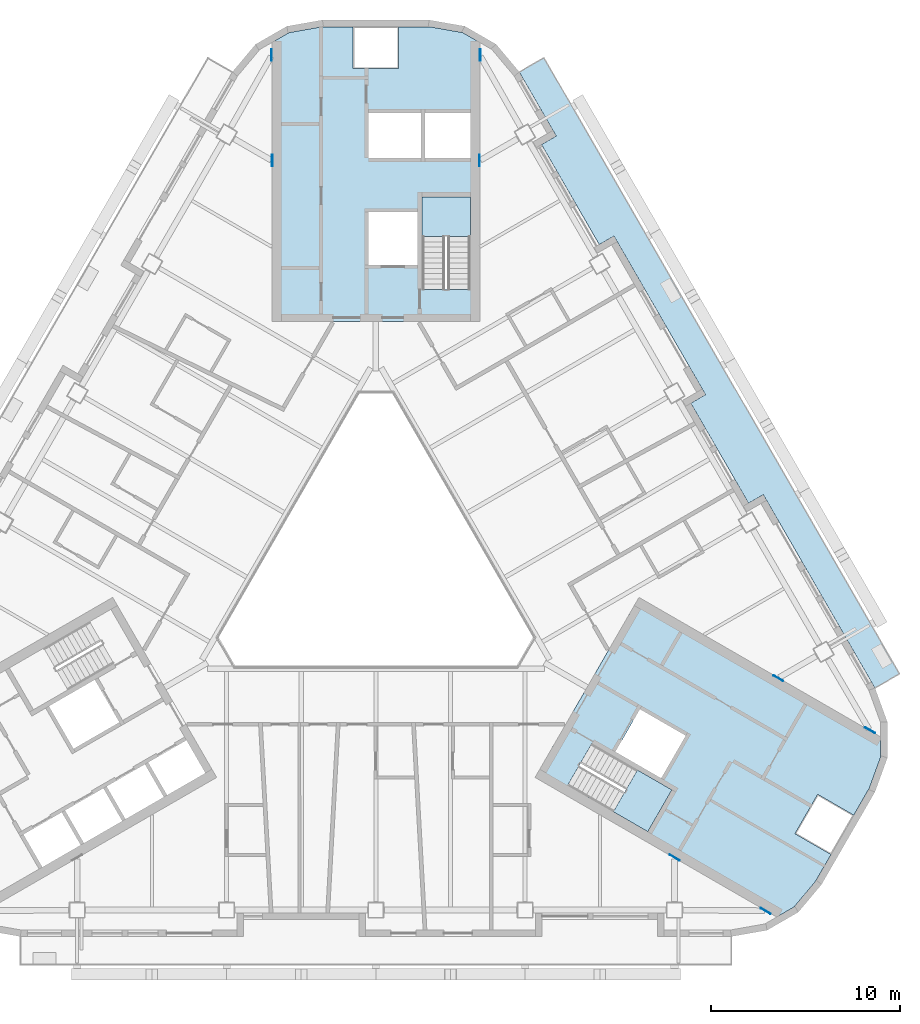
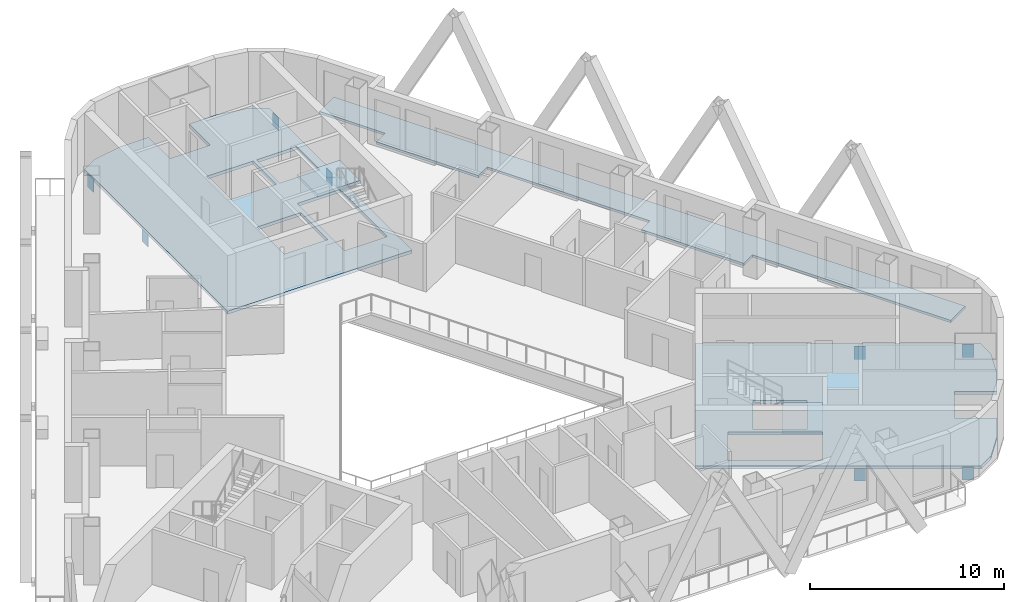
# One storey, part 4 of 17: 8 plates, 5 slabs, 2 elements without a shape of their own.
"""IFC4 building model written with IfcOpenShell, lengths in metres."""

from ifc_helpers import new_model, si_unit, direction, frame, origin, origin_2d, place, context, subcontext, project, spatial, polyline, rectangle, outline, extrude, material, layer, layer_set, type_object, element, aggregate, save


model = new_model("IFC4")

# Units and contexts
model_context = context("Model", 3, precision=1e-05, world=origin(), true_north=direction((0.0, 1.0)))
body_context = subcontext(model_context, "Body", "Model", "MODEL_VIEW")
ifc_project = project(units=[si_unit("LENGTHUNIT", "METRE"), si_unit("AREAUNIT", "SQUARE_METRE"), si_unit("VOLUMEUNIT", "CUBIC_METRE"), si_unit("PLANEANGLEUNIT", "RADIAN"), si_unit("MASSUNIT", "GRAM", prefix="KILO")], contexts=[model_context])

# Site, building, storey
site_placement = place(None, origin())
site = spatial("IfcSite", under=ifc_project, at=site_placement, CompositionType="ELEMENT")
building_placement = place(site_placement, origin())
building = spatial("IfcBuilding", under=site, at=building_placement, Name="Apuvela Tower Hotel", CompositionType="ELEMENT")
storey_placement = place(building_placement, frame((0.0, 0.0, 146.60009765625)))
storey = spatial("IfcBuildingStorey", under=building, at=storey_placement, Name="L34", CompositionType="ELEMENT", Elevation=146.60009765625)

# Slabs
ifc_material_1 = material(Name="Concrete C50/60", Category="concrete")
ifc_layer_1 = layer(ifc_material_1, 0.199951171875)
ifc_layer_set_1 = layer_set([ifc_layer_1], Name="COR-FLOOR-200")
slab_type_1 = type_object("IfcSlabType", Name="COR-FLOOR-200", PredefinedType="FLOOR", material=ifc_layer_set_1)
slab_1_placement = place(storey_placement, frame((0.0, 0.0, -0.2001953125)))
element("IfcSlab", 1, at=slab_1_placement, inside=storey, type_object=slab_type_1, Name="Core floor N", PredefinedType="FLOOR", context=body_context, shape_type="SweptSolid", body=[
    extrude(outline(polyline([(5.5, 27.668212890625), (4.588623046875, 28.1943359375), (2.85498046875, 28.5), (1.199951171875, 28.5), (1.199951171875, 26.300048828125), (-1.199951171875, 26.300048828125), (-1.199951171875, 28.5), (-2.85498046875, 28.5), (-4.588623046875, 28.1943359375), (-5.5, 27.668212890625), (-5.5, 12.89990234375), (5.5, 12.89990234375), (5.5, 27.668212890625)]), holes=[polyline([(5.0, 14.60595703125), (2.449951171875, 14.60595703125), (2.449951171875, 19.5), (5.0, 19.5), (5.0, 14.60595703125)]), polyline([(2.199951171875, 15.89990234375), (-0.39990234375, 15.89990234375), (-0.39990234375, 18.699951171875), (2.199951171875, 18.699951171875), (2.199951171875, 15.89990234375)]), polyline([(5.0, 21.550048828125), (2.60009765625, 21.550048828125), (2.60009765625, 23.949951171875), (5.0, 23.949951171875), (5.0, 21.550048828125)]), polyline([(2.39990234375, 21.550048828125), (-0.39990234375, 21.550048828125), (-0.39990234375, 23.949951171875), (2.39990234375, 23.949951171875), (2.39990234375, 21.550048828125)])]), origin(), (0.0, 0.0, 1.0), 0.2001953125),
])
slab_2_placement = place(storey_placement, frame((0.0, 0.0, -0.2001953125)))
element("IfcSlab", 2, at=slab_2_placement, inside=storey, type_object=slab_type_1, Name="Core floor SE", PredefinedType="FLOOR", context=body_context, shape_type="SweptSolid", body=[
    extrude(outline(polyline([(21.211181640625, -18.59716796875), (22.122802734375, -18.071044921875), (23.254150390625, -16.72265625), (24.081787109375, -15.289306640625), (22.176513671875, -14.189208984375), (23.37646484375, -12.11083984375), (25.28173828125, -13.210693359375), (26.109375, -11.77734375), (26.711181640625, -10.123291015625), (26.711181640625, -9.07080078125), (13.921630859375, -1.68701171875), (8.421630859375, -11.213134765625), (21.211181640625, -18.59716796875)]), holes=[polyline([(11.42431640625, -9.4248046875), (15.66259765625, -11.871826171875), (14.387451171875, -14.080078125), (10.149169921875, -11.633056640625), (11.42431640625, -9.4248046875)]), polyline([(13.9697265625, -7.603515625), (16.394775390625, -9.003662109375), (15.0947265625, -11.25537109375), (12.669921875, -9.855224609375), (13.9697265625, -7.603515625)])]), origin(), (0.0, 0.0, 1.0), 0.2001953125),
])

# Stair, slab
stair_type = type_object("IfcStairType", Name="COR-STAIR-22R", PredefinedType="HALF_TURN_STAIR", material=ifc_material_1)
stair_1_placement = place(storey_placement, origin())
stair_1 = element("IfcStair", 3, at=stair_1_placement, inside=storey, type_object=stair_type, Name="L34 Exit stair ST1", PredefinedType="HALF_TURN_STAIR")
ifc_layer_2 = layer(ifc_material_1, 0.199951171875)
ifc_layer_set_2 = layer_set([ifc_layer_2], Name="COR-LANDING-200")
slab_type_2 = type_object("IfcSlabType", Name="COR-LANDING-200", PredefinedType="LANDING", material=ifc_layer_set_2)
slab_3_placement = place(storey_placement, frame((0.0, 0.0, 1.64990234375)))
slab_3 = element("IfcSlab", 4, at=slab_3_placement, type_object=slab_type_2, Name="ST1 landing 1", PredefinedType="LANDING", context=body_context, shape_type="SweptSolid", body=[
    extrude(outline(polyline([(5.0, 17.39404296875), (5.0, 19.5), (2.449951171875, 19.5), (2.449951171875, 17.39404296875), (5.0, 17.39404296875)])), origin(), (0.0, 0.0, 1.0), 0.199951171875),
])
aggregate(stair_1, [slab_3])

stair_2_placement = place(storey_placement, origin())
stair_2 = element("IfcStair", 5, at=stair_2_placement, inside=storey, type_object=stair_type, Name="L34 Exit stair ST3", PredefinedType="HALF_TURN_STAIR")
slab_4_placement = place(storey_placement, frame((0.0, 0.0, 1.64990234375)))
slab_4 = element("IfcSlab", 6, at=slab_4_placement, type_object=slab_type_2, Name="ST3 landing 1", PredefinedType="LANDING", context=body_context, shape_type="SweptSolid", body=[
    extrude(outline(polyline([(12.563720703125, -13.027099609375), (14.387451171875, -14.080078125), (15.66259765625, -11.871826171875), (13.838623046875, -10.81884765625), (12.563720703125, -13.027099609375)])), origin(), (0.0, 0.0, 1.0), 0.199951171875),
])
aggregate(stair_2, [slab_4])

# Slab
ifc_material_2 = material(Name="Concrete C40/50, fair-faced", Category="concrete")
ifc_layer_3 = layer(ifc_material_2, 0.14990234375)
ifc_layer_set_3 = layer_set([ifc_layer_3], Name="ENV-BALCONY-150")
slab_type_3 = type_object("IfcSlabType", Name="ENV-BALCONY-150", PredefinedType="FLOOR", material=ifc_layer_set_3)
slab_5_placement = place(storey_placement, frame((0.0, 0.0, -0.150146484375)))
element("IfcSlab", 7, at=slab_5_placement, inside=storey, type_object=slab_type_3, Name="Balcony slab NE L34", PredefinedType="FLOOR", context=body_context, shape_type="SweptSolid", body=[
    extrude(outline(polyline([(17.443359375, 9.037353515625), (12.598388671875, 17.42919921875), (11.81884765625, 16.979248046875), (8.763916015625, 22.2705078125), (9.543212890625, 22.720703125), (7.585205078125, 26.11181640625), (8.89306640625, 26.86669921875), (27.7138671875, -5.731689453125), (26.40625, -6.48681640625), (20.498291015625, 3.74609375), (19.71875, 3.2958984375), (16.663818359375, 8.58740234375), (17.443359375, 9.037353515625)])), origin(), (0.0, 0.0, 1.0), 0.150146484375),
])

# Plates
ifc_material_3 = material(Name="Steel S355", Category="steel")
ifc_layer_4 = layer(ifc_material_3, 0.0400390625)
ifc_layer_set_4 = layer_set([ifc_layer_4], Name="STR-CP 40 Steel S355")
plate_type = type_object("IfcPlateType", Name="STR-CP 40 Steel S355", PredefinedType="SHEET", material=ifc_layer_set_4)
for number, where, z_axis, x_axis, name in (
    (8, (20.622802734375, -18.280517578125, -0.8603515625), (0.0, 0.0, 1.0), (-0.5, -0.866025403784, 0.0), "Cast-in plate CP-T1-38 40"),
    (9, (26.142578125, -8.719482421875, -0.8603515625), (0.0, 0.0, 1.0), (0.5, 0.866025403784, 0.0), "Cast-in plate CP-T1-39 40"),
    (10, (5.52001953125, 27.0, -0.8603515625), (0.0, 0.0, 1.0), (1.0, 0.0, 0.0), "Cast-in plate CP-T1-40 40"),
    (11, (-5.52001953125, 27.0, -0.8603515625), (0.0, 0.0, 1.0), (-1.0, 0.0, 0.0), "Cast-in plate CP-T1-41 40"),
    (12, (21.2900390625, -5.964111328125, -0.95703125), (0.0, 0.0, 1.0), (-0.5, -0.866025403784, 0.0), "Cast-in plate CP-T1-43 40"),
    (13, (5.47998046875, 21.419677734375, -0.95703125), (0.0, 0.0, 1.0), (-1.0, 0.0, 0.0), "Cast-in plate CP-T1-44 40"),
    (14, (-5.47998046875, 21.419677734375, -0.95703125), (0.0, 0.0, 1.0), (1.0, 0.0, 0.0), "Cast-in plate CP-T1-45 40"),
    (15, (15.81005859375, -15.455810546875, -0.95703125), (0.0, 0.0, 1.0), (0.5, 0.866025403784, 0.0), "Cast-in plate CP-T1-48 40"),
):
    element("IfcPlate", number, at=place(storey_placement, frame(where, z_axis=z_axis, x_axis=x_axis)), inside=storey, type_object=plate_type, Name=name, PredefinedType="SHEET", context=body_context, shape_type="SweptSolid", body=[
        extrude(rectangle(XDim=0.0400390625, YDim=0.60009765625, at=origin_2d()), origin(), (0.0, 0.0, 1.0), 0.800048828125),
    ])

save(model, "model.ifc")
